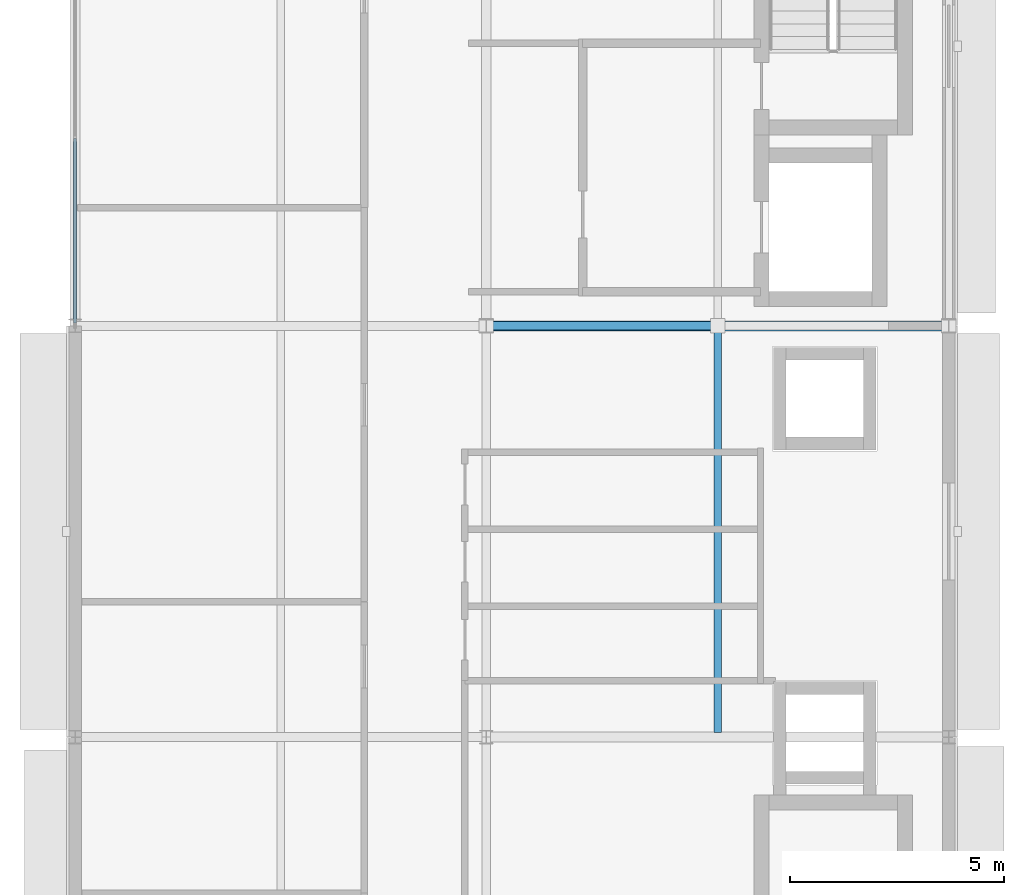
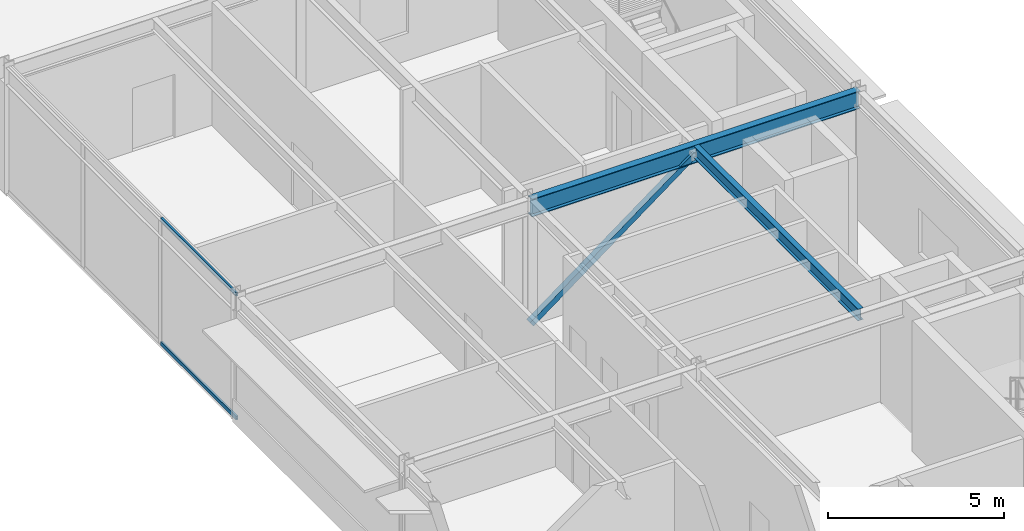
# One storey, part 9 of 18: 3 members, 2 beams, 1 element without a shape of its own.
"""IFC4 building model written with IfcOpenShell, lengths in metres."""

from ifc_helpers import new_model, si_unit, direction, frame, origin, origin_2d, place, context, subcontext, project, spatial, hollow_rectangle, i_section, extrude, material, material_profile, profile_set, type_object, element, aggregate, save


model = new_model("IFC4")

# Units and contexts
model_context = context("Model", 3, precision=1e-05, world=origin(), true_north=direction((0.0, 1.0)))
body_context = subcontext(model_context, "Body", "Model", "MODEL_VIEW")
ifc_project = project(units=[si_unit("LENGTHUNIT", "METRE"), si_unit("AREAUNIT", "SQUARE_METRE"), si_unit("VOLUMEUNIT", "CUBIC_METRE"), si_unit("PLANEANGLEUNIT", "RADIAN"), si_unit("MASSUNIT", "GRAM", prefix="KILO")], contexts=[model_context])

# Site, building, storey
site_placement = place(None, origin())
site = spatial("IfcSite", under=ifc_project, at=site_placement, CompositionType="ELEMENT")
building_placement = place(site_placement, origin())
building = spatial("IfcBuilding", under=site, at=building_placement, Name="Almandine Court Research Institute", CompositionType="ELEMENT")
storey_placement = place(building_placement, frame((0.0, 0.0, 37.10009765625)))
storey = spatial("IfcBuildingStorey", under=building, at=storey_placement, Name="L08", CompositionType="ELEMENT", Elevation=37.10009765625)

# Beams
ifc_material_1 = material(Name="Steel ASTM A992 Grade 50", Category="steel")
ifc_material_profile_1 = material_profile(ifc_material_1, i_section(OverallWidth=0.178955078125, OverallDepth=0.409912109375, WebThickness=0.009033203125, FlangeThickness=0.013916015625, at=origin_2d()), Name="W410x67")
ifc_profile_set_1 = profile_set([ifc_material_profile_1], Name="Steel ASTM A992 Grade 50")
beam_type_1 = type_object("IfcBeamType", Name="Beam-B-02", PredefinedType="JOIST", material=ifc_profile_set_1)
beam_1_placement = place(storey_placement, frame((168.60009765625, 34.9130859375, 4.179931640625), z_axis=(0.0, 1.0, 0.0), x_axis=(-1.0, 0.0, 0.0)))
element("IfcBeam", 1, at=beam_1_placement, inside=storey, type_object=beam_type_1, Name="L08 V4 Composite Secondary Beam", PredefinedType="JOIST", context=body_context, shape_type="SweptSolid", body=[
    extrude(i_section(OverallWidth=0.178955078125, OverallDepth=0.409912109375, WebThickness=0.009033203125, FlangeThickness=0.013916015625, at=origin_2d()), origin(), (0.0, 0.0, 1.0), 9.3740234375),
])
ifc_material_profile_2 = material_profile(ifc_material_1, i_section(OverallWidth=0.22998046875, OverallDepth=0.616943359375, WebThickness=0.012939453125, FlangeThickness=0.02197265625, at=origin_2d()), Name="W610x140")
ifc_profile_set_2 = profile_set([ifc_material_profile_2], Name="Steel ASTM A992 Grade 50")
beam_type_2 = type_object("IfcBeamType", Name="Beam-G-02", PredefinedType="BEAM", material=ifc_profile_set_2)
beam_2_placement = place(storey_placement, frame((163.199951171875, 44.39990234375, 4.075927734375), z_axis=(1.0, 0.0, 0.0), x_axis=(0.0, 1.0, 0.0)))
element("IfcBeam", 2, at=beam_2_placement, inside=storey, type_object=beam_type_2, Name="L08 V4 Primary X Girder", PredefinedType="BEAM", context=body_context, shape_type="SweptSolid", body=[
    extrude(i_section(OverallWidth=0.22998046875, OverallDepth=0.616943359375, WebThickness=0.012939453125, FlangeThickness=0.02197265625, at=origin_2d()), origin(), (0.0, 0.0, 1.0), 10.800048828125),
])

# Curtain wall, members
ifc_material_2 = material(Name="Unitised Curtain Wall Framing and Solar Glazing", Category="glass")
curtain_wall_type = type_object("IfcCurtainWallType", Name="CW-CWJ-15", PredefinedType="USERDEFINED", material=ifc_material_2)
curtain_wall_placement = place(storey_placement, origin())
curtain_wall = element("IfcCurtainWall", 3, at=curtain_wall_placement, inside=storey, type_object=curtain_wall_type, Name="L08 Wet Lab West Courtyard Jali Curtain Wall 5", ObjectType="SOLAR JALI SCREEN", PredefinedType="USERDEFINED")
ifc_material_3 = material(Name="Anodised Aluminium AW-6063-T6", Category="aluminium")
ifc_material_profile_3 = material_profile(ifc_material_3, hollow_rectangle(XDim=0.06494140625, YDim=0.1298828125, WallThickness=0.00390625, at=origin_2d()), Name="ALU RHS 65x130x4")
ifc_profile_set_3 = profile_set([ifc_material_profile_3], Name="Anodised Aluminium AW-6063-T6")
member_type_1 = type_object("IfcMemberType", Name="CWTrn-65x130", PredefinedType="NOTDEFINED", material=ifc_profile_set_3)
member_1_placement = place(storey_placement, frame((153.60009765625, 44.468994140625, 0.032470703125), z_axis=(0.0, 1.0, 0.0), x_axis=(-1.0, 0.0, 0.0)))
member_1 = element("IfcMember", 4, at=member_1_placement, type_object=member_type_1, Name="CWJ-15 transom 1.1", ObjectType="TRANSOM", PredefinedType="USERDEFINED", context=body_context, shape_type="SweptSolid", body=[
    extrude(hollow_rectangle(XDim=0.06494140625, YDim=0.1298828125, WallThickness=0.00390625, at=origin_2d()), origin(), (0.0, 0.0, 1.0), 4.2998046875),
])
member_2_placement = place(storey_placement, frame((153.60009765625, 44.468994140625, 4.33740234375), z_axis=(0.0, 1.0, 0.0), x_axis=(-1.0, 0.0, 0.0)))
member_2 = element("IfcMember", 5, at=member_2_placement, type_object=member_type_1, Name="CWJ-15 transom 1.2", ObjectType="TRANSOM", PredefinedType="USERDEFINED", context=body_context, shape_type="SweptSolid", body=[
    extrude(hollow_rectangle(XDim=0.06494140625, YDim=0.1298828125, WallThickness=0.00390625, at=origin_2d()), origin(), (0.0, 0.0, 1.0), 4.2998046875),
])
aggregate(curtain_wall, [member_1, member_2])

# Member
ifc_material_4 = material(Name="Steel ASTM A500 Grade C", Category="steel")
ifc_material_profile_4 = material_profile(ifc_material_4, hollow_rectangle(XDim=0.199951171875, YDim=0.199951171875, WallThickness=0.008056640625, at=origin_2d()), Name="HSS 200x200x8")
ifc_profile_set_4 = profile_set([ifc_material_profile_4], Name="Steel ASTM A500 Grade C")
member_type_2 = type_object("IfcMemberType", Name="Mem-BF-BR2", PredefinedType="BRACE", material=ifc_profile_set_4)
member_3_placement = place(storey_placement, frame((163.199951171875, 44.39990234375, 0.02001953125), z_axis=(0.801445555519, 0.0, 0.598067739925), x_axis=(0.0, 1.0, 0.0)))
element("IfcMember", 6, at=member_3_placement, inside=storey, type_object=member_type_2, Name="L08 Seismic Chevron Brace V4-BF2 Left", PredefinedType="BRACE", context=body_context, shape_type="SweptSolid", body=[
    extrude(hollow_rectangle(XDim=0.199951171875, YDim=0.199951171875, WallThickness=0.008056640625, at=origin_2d()), origin(), (0.0, 0.0, 1.0), 6.738037109375),
])

save(model, "model.ifc")
